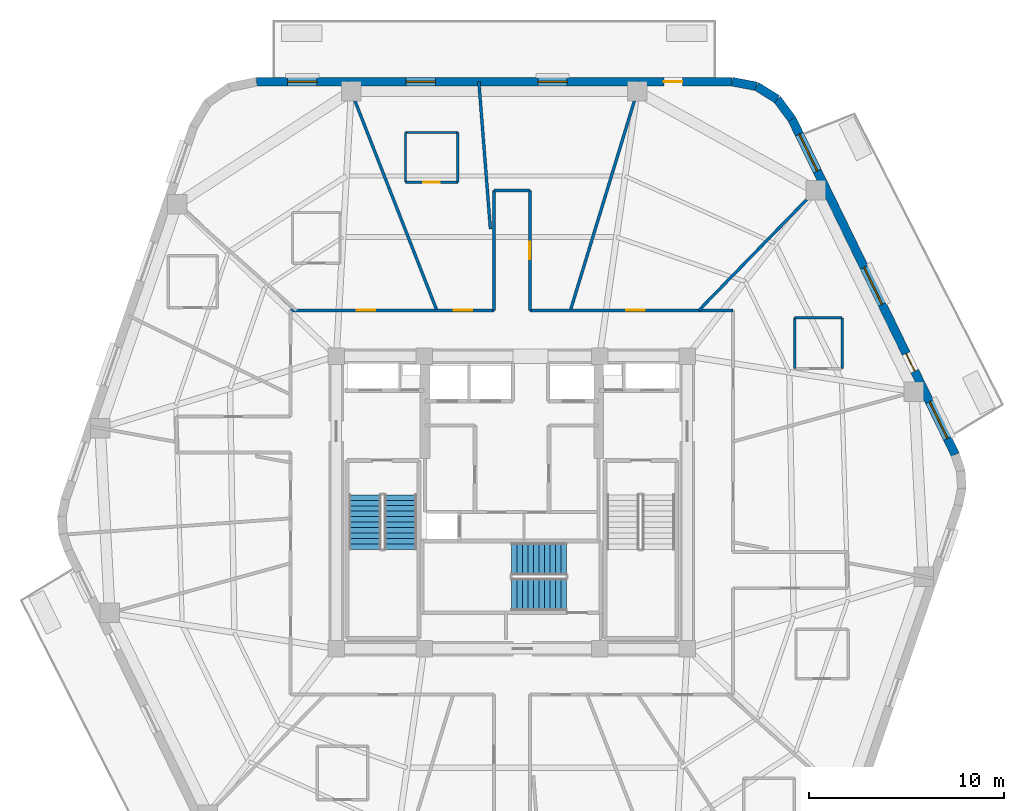
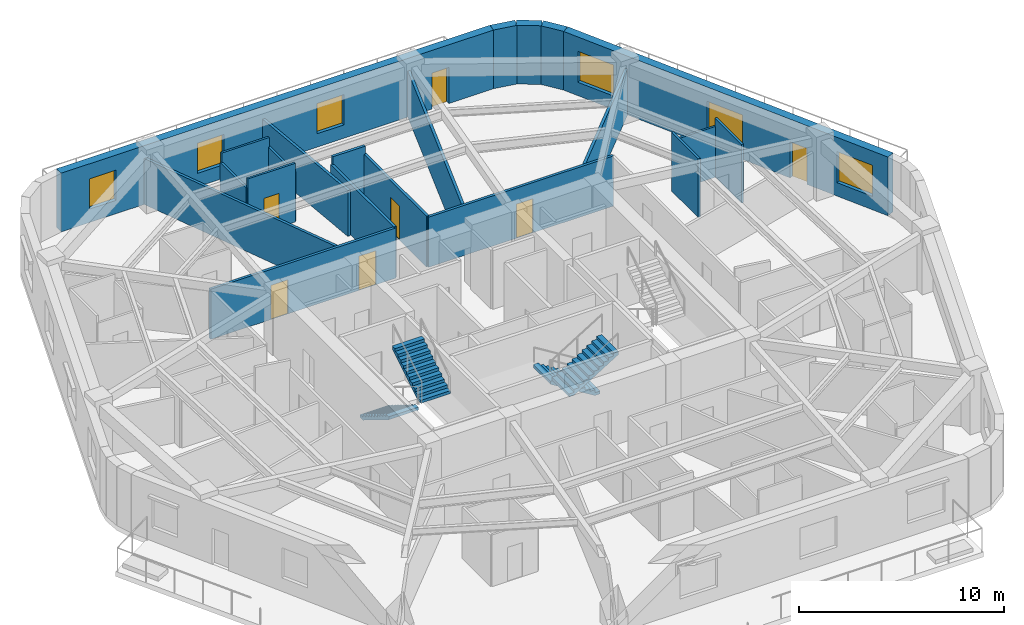
# One storey, part 6 of 10: 21 walls, 7 doors, 6 windows, 4 stair flights, 13 openings, 2 elements without a shape of their own.
"""IFC4 building model written with IfcOpenShell, lengths in metres."""

import ifcopenshell
import ifcopenshell.guid

model = None  # the IFC model being written
_history = None  # IfcOwnerHistory: only IFC2X3 demands one
_inside = {}  # id of a spatial element -> (the spatial element, [elements in it])
_under = {}  # id of a project, library or spatial element -> (it, [spatial elements below it])
_declared = {}  # id of a project -> (the project, [libraries it declares])
_typed = {}  # id of a type object -> (the type object, [elements of that type])
_made_of = {}  # id of a material, layer set ... -> (it, [elements and type objects made of it])


def new_model(schema):
    """Start an empty IFC model of exactly this schema.

    Asked for "IFC4X3", IfcOpenShell would pick the latest addendum, in which some entities
    have other attributes; the version numbers below select the first issue.
    IFC2X3 requires an IfcOwnerHistory on every rooted entity: one is made here for all.
    """
    global model, _history
    if schema == "IFC4X3":
        model = ifcopenshell.file(schema_version=(4, 3, 0, 0))
    else:
        model = ifcopenshell.file(schema=schema)
    _inside.clear()
    _under.clear()
    _declared.clear()
    _typed.clear()
    _made_of.clear()
    _history = None
    if model.schema == "IFC2X3":
        org = make("IfcOrganization", Name="unknown")
        user = make(
            "IfcPersonAndOrganization",
            ThePerson=make("IfcPerson", FamilyName="unknown"),
            TheOrganization=org,
        )
        app = make(
            "IfcApplication",
            ApplicationDeveloper=org,
            Version="unknown",
            ApplicationFullName="unknown",
            ApplicationIdentifier="unknown",
        )
        _history = make(
            "IfcOwnerHistory",
            OwningUser=user,
            OwningApplication=app,
            ChangeAction="ADDED",
            CreationDate=0,
        )
    return model


def make(cls, **values):
    """One entity of the class cls with the attributes given. An attribute that is None is left unset."""
    return model.create_entity(
        cls, **{name: value for name, value in values.items() if value is not None}
    )


def rooted(cls, **values):
    """An entity with a GlobalId (a new one), such as an element, a storey or a relation."""
    return make(cls, GlobalId=ifcopenshell.guid.new(), OwnerHistory=_history, **values)


def si_unit(unit_type, name, prefix=None):
    """IfcSIUnit, for example si_unit("LENGTHUNIT", "METRE", prefix="MILLI")."""
    return make("IfcSIUnit", UnitType=unit_type, Prefix=prefix, Name=name)


def assignment(units):
    """IfcUnitAssignment: the units of a project."""
    return None if units is None else make("IfcUnitAssignment", Units=units)


def point(xyz):
    """IfcCartesianPoint."""
    return None if xyz is None else make("IfcCartesianPoint", Coordinates=xyz)


def direction(xyz):
    """IfcDirection."""
    return None if xyz is None else make("IfcDirection", DirectionRatios=xyz)


def frame(location, z_axis=None, x_axis=None):
    """IfcAxis2Placement3D, a coordinate frame: its origin and axes. An axis left out is left unset."""
    return make(
        "IfcAxis2Placement3D",
        Location=point(location),
        Axis=direction(z_axis),
        RefDirection=direction(x_axis),
    )


def frame_2d(location, x_axis=None):
    """IfcAxis2Placement2D, a coordinate frame in the plane: its origin and x axis."""
    return make(
        "IfcAxis2Placement2D", Location=point(location), RefDirection=direction(x_axis)
    )


def origin():
    """The frame at (0, 0, 0) with its axes left unset."""
    return frame((0.0, 0.0, 0.0))


def place(relative_to, where):
    """IfcLocalPlacement: puts the frame where relative to a parent placement (None: the world)."""
    return make(
        "IfcLocalPlacement", PlacementRelTo=relative_to, RelativePlacement=where
    )


def context(
    kind, dimensions, precision=None, world=None, true_north=None, identifier=None
):
    """IfcGeometricRepresentationContext, for example the 3D "Model" context."""
    return make(
        "IfcGeometricRepresentationContext",
        ContextIdentifier=identifier,
        ContextType=kind,
        CoordinateSpaceDimension=dimensions,
        Precision=precision,
        WorldCoordinateSystem=world,
        TrueNorth=true_north,
    )


def subcontext(parent, identifier, kind, view, scale=None):
    """IfcGeometricRepresentationSubContext, for example "Body" below "Model"."""
    return make(
        "IfcGeometricRepresentationSubContext",
        ContextIdentifier=identifier,
        ContextType=kind,
        ParentContext=parent,
        TargetScale=scale,
        TargetView=view,
    )


def project(units=None, contexts=None):
    """IfcProject with its units and contexts."""
    return rooted(
        "IfcProject",
        Name="project",
        RepresentationContexts=contexts,
        UnitsInContext=assignment(units),
    )


def spatial(cls, under=None, at=None, **own):
    """A site, building, storey or space (cls), placed at a placement, below another one or the project."""
    s = rooted(cls, ObjectPlacement=at, **own)
    if under is not None:
        _under.setdefault(under.id(), (under, []))[1].append(s)
    return s


def polyline(points):
    """IfcPolyline through the points."""
    return make("IfcPolyline", Points=[point(p) for p in points])


def profile(cls, at=None, kind="AREA", **sizes):
    """A parametric profile (cls). Its sizes go by their IFC names, for example OverallWidth=200.0."""
    return make(cls, ProfileType=kind, Position=at, **sizes)


def rectangle(**sizes):
    """IfcRectangleProfileDef."""
    return profile("IfcRectangleProfileDef", **sizes)


def outline(outer, holes=None, kind="AREA"):
    """IfcArbitraryClosedProfileDef: a profile drawn as a closed curve; with holes, ...WithVoids."""
    if holes is None:
        return make("IfcArbitraryClosedProfileDef", ProfileType=kind, OuterCurve=outer)
    return make(
        "IfcArbitraryProfileDefWithVoids",
        ProfileType=kind,
        OuterCurve=outer,
        InnerCurves=holes,
    )


def extrude(swept, where, along, depth):
    """IfcExtrudedAreaSolid: the profile swept, set in the frame where, extruded along a direction by depth."""
    return make(
        "IfcExtrudedAreaSolid",
        SweptArea=swept,
        Position=where,
        ExtrudedDirection=direction(along),
        Depth=depth,
    )


def shape(context_of_items, identifier, shape_type, items):
    """IfcShapeRepresentation: the items that make up one representation, for example the "Body"."""
    return make(
        "IfcShapeRepresentation",
        ContextOfItems=context_of_items,
        RepresentationIdentifier=identifier,
        RepresentationType=shape_type,
        Items=items,
    )


def material(Name=None, Category=None):
    """IfcMaterial."""
    return make("IfcMaterial", Name=Name, Category=Category)


def layer(
    of_material, thickness, ventilated=None, Name=None, Category=None, Priority=None
):
    """IfcMaterialLayer: one layer of a wall or slab, of a material (None: an air gap)."""
    return make(
        "IfcMaterialLayer",
        Material=of_material,
        LayerThickness=thickness,
        IsVentilated=ventilated,
        Name=Name,
        Category=Category,
        Priority=Priority,
    )


def layer_set(layers, Name=None):
    """IfcMaterialLayerSet."""
    return make("IfcMaterialLayerSet", MaterialLayers=layers, LayerSetName=Name)


def made_of(thing, what):
    """Note that an element or type object is made of a material, layer set ...; save() writes the relation."""
    if what is not None:
        _made_of.setdefault(what.id(), (what, []))[1].append(thing)
    return thing


def type_object(cls, material=None, **own):
    """A type object (cls), such as IfcWallType, which elements share."""
    return made_of(rooted(cls, **own), material)


def element(
    cls,
    number,
    at=None,
    inside=None,
    cuts=None,
    type_object=None,
    material=None,
    context=None,
    identifier="Body",
    shape_type=None,
    held_by="IfcProductDefinitionShape",
    body=None,
    shapes=None,
    **own,
):
    """One element of the class cls, such as IfcWall. Its Tag is "e" and its number.

    at: its placement. inside: the storey or other place that contains it. cuts: it is an
    opening in that element (IfcRelVoidsElement). A single representation is given by context,
    identifier, shape_type and body (its items); several are given by shapes. held_by: the class
    of the entity that holds the representations. save() writes the other relations.
    """
    e = rooted(cls, Tag="e%d" % number, ObjectPlacement=at, **own)
    if body is not None:
        shapes = [shape(context, identifier, shape_type, body)]
    if shapes is not None:
        e.Representation = make(held_by, Representations=shapes)
    if inside is not None:
        _inside.setdefault(inside.id(), (inside, []))[1].append(e)
    if cuts is not None:
        rooted(
            "IfcRelVoidsElement", RelatingBuildingElement=cuts, RelatedOpeningElement=e
        )
    if type_object is not None:
        _typed.setdefault(type_object.id(), (type_object, []))[1].append(e)
    return made_of(e, material)


def fill(opening, filler):
    """IfcRelFillsElement: the door or window that sits in an opening."""
    return rooted(
        "IfcRelFillsElement",
        RelatingOpeningElement=opening,
        RelatedBuildingElement=filler,
    )


def aggregate(whole, parts):
    """IfcRelAggregates: a whole, such as a stair, and the parts it consists of."""
    return rooted("IfcRelAggregates", RelatingObject=whole, RelatedObjects=parts)


def save(model, path):
    """Write the relations noted so far, then the file.

    IfcRelAggregates (storeys below a building ...), IfcRelContainedInSpatialStructure (elements
    in a storey), IfcRelDefinesByType, IfcRelAssociatesMaterial and IfcRelDeclares: one each for
    every whole, place, type object, material and project.
    """
    for whole, parts in _under.values():
        aggregate(whole, parts)
    for where, things in _inside.values():
        rooted(
            "IfcRelContainedInSpatialStructure",
            RelatedElements=things,
            RelatingStructure=where,
        )
    for kind, things in _typed.values():
        rooted("IfcRelDefinesByType", RelatedObjects=things, RelatingType=kind)
    for what, things in _made_of.values():
        rooted("IfcRelAssociatesMaterial", RelatedObjects=things, RelatingMaterial=what)
    for by, libraries in _declared.values():
        rooted("IfcRelDeclares", RelatingContext=by, RelatedDefinitions=libraries)
    model.write(path)


model = new_model("IFC4")

# Units and contexts
model_context = context("Model", 3, precision=1e-05, world=origin(), true_north=direction((0.0, 1.0)))
body_context = subcontext(model_context, "Body", "Model", "MODEL_VIEW")
ifc_project = project(units=[si_unit("LENGTHUNIT", "METRE"), si_unit("AREAUNIT", "SQUARE_METRE"), si_unit("VOLUMEUNIT", "CUBIC_METRE"), si_unit("PLANEANGLEUNIT", "RADIAN"), si_unit("MASSUNIT", "GRAM", prefix="KILO")], contexts=[model_context])

# Site, building, storey
site_placement = place(None, origin())
site = spatial("IfcSite", under=ifc_project, at=site_placement, CompositionType="ELEMENT")
building_placement = place(site_placement, origin())
building = spatial("IfcBuilding", under=site, at=building_placement, Name="Kilnhurst Terrace Hotel", CompositionType="ELEMENT")
storey_placement = place(building_placement, frame((0.0, 0.0, 214.10009765625)))
storey = spatial("IfcBuildingStorey", under=building, at=storey_placement, Name="L53", CompositionType="ELEMENT", Elevation=214.10009765625)

# Walls
ifc_material_1 = material(Name="Precast concrete C40/50", Category="concrete")
ifc_layer_1 = layer(ifc_material_1, 0.449951171875, Name="Precast concrete C40/50")
ifc_layer_set_1 = layer_set([ifc_layer_1], Name="Precast concrete C40/50")
wall_type_1 = type_object("IfcWallType", Name="WL-BRK-450", PredefinedType="SOLIDWALL", material=ifc_layer_set_1)
wall_1_placement = place(storey_placement, frame((14.3623046875, 19.658447265625, 0.0), z_axis=(0.0, 0.0, 1.0), x_axis=(-0.596642462792, 0.80250717853, 0.0)))
element("IfcWall", 1, at=wall_1_placement, inside=storey, type_object=wall_type_1, Name="L53 Rounded Corner Brick Wall C4.1", PredefinedType="SOLIDWALL", context=body_context, shape_type="SweptSolid", body=[
    extrude(rectangle(XDim=1.27001953125, YDim=0.449951171875, at=frame_2d((0.635009765625, 0.0))), origin(), (0.0, 0.0, 1.0), 3.5),
])
wall_2_placement = place(storey_placement, frame((13.6044921875, 20.677734375, 0.0), z_axis=(0.0, 0.0, 1.0), x_axis=(-0.847910404124, 0.53013955387, 0.0)))
element("IfcWall", 2, at=wall_2_placement, inside=storey, type_object=wall_type_1, Name="L53 Rounded Corner Brick Wall C4.2", PredefinedType="SOLIDWALL", context=body_context, shape_type="SweptSolid", body=[
    extrude(rectangle(XDim=1.24853515625, YDim=0.449951171875, at=frame_2d((0.624267578125, 0.0))), origin(), (0.0, 0.0, 1.0), 3.5),
])
wall_3_placement = place(storey_placement, frame((12.5458984375, 21.339599609375, 0.0), z_axis=(0.0, 0.0, 1.0), x_axis=(-0.982686750835, 0.18527479519, 0.0)))
element("IfcWall", 3, at=wall_3_placement, inside=storey, type_object=wall_type_1, Name="L53 Rounded Corner Brick Wall C4.3", PredefinedType="SOLIDWALL", context=body_context, shape_type="SweptSolid", body=[
    extrude(rectangle(XDim=1.270263671875, YDim=0.449951171875, at=frame_2d((0.63525390625, 0.0))), origin(), (0.0, 0.0, 1.0), 3.5),
])

# Wall, openings, door, windows
wall_4_placement = place(storey_placement, frame((22.73974609375, 2.4521484375, 0.0), z_axis=(0.0, 0.0, 1.0), x_axis=(-0.437753424814, 0.899095066755, 0.0)))
wall_4 = element("IfcWall", 4, at=wall_4_placement, inside=storey, type_object=wall_type_1, Name="L53 Exterior Brick Facade Wall F3", PredefinedType="SOLIDWALL", context=body_context, shape_type="SweptSolid", body=[
    extrude(rectangle(XDim=19.137451171875, YDim=0.449951171875, at=frame_2d((9.56884765625, 0.0))), origin(), (0.0, 0.0, 1.0), 3.5),
])
opening_1_placement = place(wall_4_placement, frame((4.762939453125, 0.0, 0.0)))
opening_1 = element("IfcOpeningElement", 5, at=opening_1_placement, cuts=wall_4, Name="Opening BD-1000", PredefinedType="OPENING", context=body_context, shape_type="SweptSolid", body=[
    extrude(rectangle(XDim=1.0, YDim=2.14990234375, at=frame_2d((0.5, 1.074951171875))), frame((0.0, 0.23486328125, 0.0), z_axis=(0.0, -1.0, 0.0), x_axis=(1.0, 0.0, 0.0)), (0.0, 0.0, 1.0), 0.469970703125),
])
opening_2_placement = place(wall_4_placement, frame((8.570068359375, 0.0, 0.800048828125)))
opening_2 = element("IfcOpeningElement", 6, at=opening_2_placement, cuts=wall_4, Name="Opening W-04", PredefinedType="OPENING", context=body_context, shape_type="SweptSolid", body=[
    extrude(rectangle(XDim=2.10009765625, YDim=1.85009765625, at=frame_2d((1.050048828125, 0.925048828125))), frame((0.0, 0.23486328125, 0.0), z_axis=(0.0, -1.0, 0.0), x_axis=(1.0, 0.0, 0.0)), (0.0, 0.0, 1.0), 0.469970703125),
])
opening_3_placement = place(wall_4_placement, frame((16.173095703125, 0.0, 0.800048828125)))
opening_3 = element("IfcOpeningElement", 7, at=opening_3_placement, cuts=wall_4, Name="Opening W-04", PredefinedType="OPENING", context=body_context, shape_type="SweptSolid", body=[
    extrude(rectangle(XDim=2.10009765625, YDim=1.85009765625, at=frame_2d((1.050048828125, 0.925048828125))), frame((0.0, 0.23486328125, 0.0), z_axis=(0.0, -1.0, 0.0), x_axis=(1.0, 0.0, 0.0)), (0.0, 0.0, 1.0), 0.469970703125),
])
opening_4_placement = place(wall_4_placement, frame((0.916015625, 0.0, 0.800048828125)))
opening_4 = element("IfcOpeningElement", 8, at=opening_4_placement, cuts=wall_4, Name="Opening W-04", PredefinedType="OPENING", context=body_context, shape_type="SweptSolid", body=[
    extrude(rectangle(XDim=2.10009765625, YDim=1.85009765625, at=frame_2d((1.050048828125, 0.925048828125))), frame((0.0, 0.23486328125, 0.0), z_axis=(0.0, -1.0, 0.0), x_axis=(1.0, 0.0, 0.0)), (0.0, 0.0, 1.0), 0.469970703125),
])
ifc_material_2 = material(Name="Thermally Broken Bronze Aluminium Alloy 6063-T6 and Laminated Glass", Category="aluminium")
door_type_1 = type_object("IfcDoorType", Name="DR-EXT-BAL-1000", OperationType="NOTDEFINED", PredefinedType="DOOR", material=ifc_material_2)
door_1_placement = place(opening_1_placement, origin())
door_1 = element("IfcDoor", 9, at=door_1_placement, inside=storey, type_object=door_type_1, Name="L53 Planted Balcony Door BAL-L1A", OperationType="SINGLE_SWING_LEFT", OverallHeight=2.14990234375, OverallWidth=1.0, PredefinedType="DOOR", context=body_context, shape_type="SweptSolid", body=[
    extrude(rectangle(XDim=1.0, YDim=2.14990234375, at=frame_2d((0.5, 1.074951171875))), frame((0.0, 0.02490234375, 0.0), z_axis=(0.0, -1.0, 0.0), x_axis=(1.0, 0.0, 0.0)), (0.0, 0.0, 1.0), 0.050048828125),
])
fill(opening_1, door_1)
ifc_material_3 = material(Name="Thermally Broken Bronze Aluminium Alloy 6063-T6 and Low-E Glass", Category="aluminium")
window_type_1 = type_object("IfcWindowType", Name="WIN-2100X1850", PartitioningType="SINGLE_PANEL", PredefinedType="WINDOW", material=ifc_material_3)
window_1_placement = place(opening_2_placement, origin())
window_1 = element("IfcWindow", 10, at=window_1_placement, inside=storey, type_object=window_type_1, Name="L53 Deep-Set Masonry Window F3.1", OverallHeight=1.85009765625, OverallWidth=2.10009765625, PartitioningType="SINGLE_PANEL", PredefinedType="WINDOW", context=body_context, shape_type="SweptSolid", body=[
    extrude(rectangle(XDim=2.10009765625, YDim=1.85009765625, at=frame_2d((1.050048828125, 0.925048828125))), frame((0.0, 0.030029296875, 0.0), z_axis=(0.0, -1.0, 0.0), x_axis=(1.0, 0.0, 0.0)), (0.0, 0.0, 1.0), 0.06005859375),
])
fill(opening_2, window_1)
window_2_placement = place(opening_3_placement, origin())
window_2 = element("IfcWindow", 11, at=window_2_placement, inside=storey, type_object=window_type_1, Name="L53 Deep-Set Masonry Window F3.2", OverallHeight=1.85009765625, OverallWidth=2.10009765625, PartitioningType="SINGLE_PANEL", PredefinedType="WINDOW", context=body_context, shape_type="SweptSolid", body=[
    extrude(rectangle(XDim=2.10009765625, YDim=1.85009765625, at=frame_2d((1.050048828125, 0.925048828125))), frame((0.0, 0.030029296875, 0.0), z_axis=(0.0, -1.0, 0.0), x_axis=(1.0, 0.0, 0.0)), (0.0, 0.0, 1.0), 0.06005859375),
])
fill(opening_3, window_2)
window_3_placement = place(opening_4_placement, origin())
window_3 = element("IfcWindow", 12, at=window_3_placement, inside=storey, type_object=window_type_1, Name="L53 Deep-Set Masonry Window F3.3", OverallHeight=1.85009765625, OverallWidth=2.10009765625, PartitioningType="SINGLE_PANEL", PredefinedType="WINDOW", context=body_context, shape_type="SweptSolid", body=[
    extrude(rectangle(XDim=2.10009765625, YDim=1.85009765625, at=frame_2d((1.050048828125, 0.925048828125))), frame((0.0, 0.030029296875, 0.0), z_axis=(0.0, -1.0, 0.0), x_axis=(1.0, 0.0, 0.0)), (0.0, 0.0, 1.0), 0.06005859375),
])
fill(opening_4, window_3)

wall_5_placement = place(storey_placement, frame((11.297607421875, 21.574951171875, 0.0), z_axis=(0.0, 0.0, 1.0), x_axis=(-1.0, 0.0, 0.0)))
wall_5 = element("IfcWall", 13, at=wall_5_placement, inside=storey, type_object=wall_type_1, Name="L53 Exterior Brick Facade Wall F4", PredefinedType="SOLIDWALL", context=body_context, shape_type="SweptSolid", body=[
    extrude(rectangle(XDim=24.399169921875, YDim=0.449951171875, at=frame_2d((12.19970703125, 0.0))), origin(), (0.0, 0.0, 1.0), 3.5),
])
opening_5_placement = place(wall_5_placement, frame((2.550048828125, 0.0, 0.0)))
opening_5 = element("IfcOpeningElement", 14, at=opening_5_placement, cuts=wall_5, Name="Opening BD-950", PredefinedType="OPENING", context=body_context, shape_type="SweptSolid", body=[
    extrude(rectangle(XDim=0.949951171875, YDim=2.14990234375, at=frame_2d((0.47509765625, 1.074951171875))), frame((0.0, 0.23486328125, 0.0), z_axis=(0.0, -1.0, 0.0), x_axis=(1.0, 0.0, 0.0)), (0.0, 0.0, 1.0), 0.469970703125),
])
opening_6_placement = place(wall_5_placement, frame((8.468994140625, 0.0, 0.800048828125)))
opening_6 = element("IfcOpeningElement", 15, at=opening_6_placement, cuts=wall_5, Name="Opening W-02", PredefinedType="OPENING", context=body_context, shape_type="SweptSolid", body=[
    extrude(rectangle(XDim=1.5, YDim=1.800048828125, at=frame_2d((0.75, 0.89990234375))), frame((0.0, 0.23486328125, 0.0), z_axis=(0.0, -1.0, 0.0), x_axis=(1.0, 0.0, 0.0)), (0.0, 0.0, 1.0), 0.469970703125),
])
opening_7_placement = place(wall_5_placement, frame((15.221923828125, 0.0, 0.800048828125)))
opening_7 = element("IfcOpeningElement", 16, at=opening_7_placement, cuts=wall_5, Name="Opening W-02", PredefinedType="OPENING", context=body_context, shape_type="SweptSolid", body=[
    extrude(rectangle(XDim=1.5, YDim=1.800048828125, at=frame_2d((0.75, 0.89990234375))), frame((0.0, 0.23486328125, 0.0), z_axis=(0.0, -1.0, 0.0), x_axis=(1.0, 0.0, 0.0)), (0.0, 0.0, 1.0), 0.469970703125),
])
opening_8_placement = place(wall_5_placement, frame((21.2958984375, 0.0, 0.800048828125)))
opening_8 = element("IfcOpeningElement", 17, at=opening_8_placement, cuts=wall_5, Name="Opening W-02", PredefinedType="OPENING", context=body_context, shape_type="SweptSolid", body=[
    extrude(rectangle(XDim=1.5, YDim=1.800048828125, at=frame_2d((0.75, 0.89990234375))), frame((0.0, 0.23486328125, 0.0), z_axis=(0.0, -1.0, 0.0), x_axis=(1.0, 0.0, 0.0)), (0.0, 0.0, 1.0), 0.469970703125),
])
door_type_2 = type_object("IfcDoorType", Name="DR-EXT-BAL-950", OperationType="NOTDEFINED", PredefinedType="DOOR", material=ifc_material_2)
door_2_placement = place(opening_5_placement, origin())
door_2 = element("IfcDoor", 18, at=door_2_placement, inside=storey, type_object=door_type_2, Name="L53 Planted Balcony Door BAL-L1B", OperationType="SINGLE_SWING_RIGHT", OverallHeight=2.14990234375, OverallWidth=0.949951171875, PredefinedType="DOOR", context=body_context, shape_type="SweptSolid", body=[
    extrude(rectangle(XDim=0.949951171875, YDim=2.14990234375, at=frame_2d((0.47509765625, 1.074951171875))), frame((0.0, 0.02490234375, 0.0), z_axis=(0.0, -1.0, 0.0), x_axis=(1.0, 0.0, 0.0)), (0.0, 0.0, 1.0), 0.050048828125),
])
fill(opening_5, door_2)
window_type_2 = type_object("IfcWindowType", Name="WIN-1500X1800", PartitioningType="SINGLE_PANEL", PredefinedType="WINDOW", material=ifc_material_3)
window_4_placement = place(opening_6_placement, origin())
window_4 = element("IfcWindow", 19, at=window_4_placement, inside=storey, type_object=window_type_2, Name="L53 Deep-Set Masonry Window F4.1", OverallHeight=1.800048828125, OverallWidth=1.5, PartitioningType="SINGLE_PANEL", PredefinedType="WINDOW", context=body_context, shape_type="SweptSolid", body=[
    extrude(rectangle(XDim=1.5, YDim=1.800048828125, at=frame_2d((0.75, 0.89990234375))), frame((0.0, 0.030029296875, 0.0), z_axis=(0.0, -1.0, 0.0), x_axis=(1.0, 0.0, 0.0)), (0.0, 0.0, 1.0), 0.06005859375),
])
fill(opening_6, window_4)
window_5_placement = place(opening_7_placement, origin())
window_5 = element("IfcWindow", 20, at=window_5_placement, inside=storey, type_object=window_type_2, Name="L53 Deep-Set Masonry Window F4.2", OverallHeight=1.800048828125, OverallWidth=1.5, PartitioningType="SINGLE_PANEL", PredefinedType="WINDOW", context=body_context, shape_type="SweptSolid", body=[
    extrude(rectangle(XDim=1.5, YDim=1.800048828125, at=frame_2d((0.75, 0.89990234375))), frame((0.0, 0.030029296875, 0.0), z_axis=(0.0, -1.0, 0.0), x_axis=(1.0, 0.0, 0.0)), (0.0, 0.0, 1.0), 0.06005859375),
])
fill(opening_7, window_5)
window_6_placement = place(opening_8_placement, origin())
window_6 = element("IfcWindow", 21, at=window_6_placement, inside=storey, type_object=window_type_2, Name="L53 Deep-Set Masonry Window F4.3", OverallHeight=1.800048828125, OverallWidth=1.5, PartitioningType="SINGLE_PANEL", PredefinedType="WINDOW", context=body_context, shape_type="SweptSolid", body=[
    extrude(rectangle(XDim=1.5, YDim=1.800048828125, at=frame_2d((0.75, 0.89990234375))), frame((0.0, 0.030029296875, 0.0), z_axis=(0.0, -1.0, 0.0), x_axis=(1.0, 0.0, 0.0)), (0.0, 0.0, 1.0), 0.06005859375),
])
fill(opening_8, window_6)

# Wall, openings, doors
ifc_material_4 = material(Name="Acoustic Double-Gypsum Corridor Partition Assembly")
ifc_layer_2 = layer(ifc_material_4, 0.14990234375, Name="Acoustic Double-Gypsum Corridor Partition Assembly")
ifc_layer_set_2 = layer_set([ifc_layer_2], Name="Acoustic Double-Gypsum Corridor Partition Assembly")
wall_type_2 = type_object("IfcWallType", Name="WL-COR-150", PredefinedType="PARTITIONING", material=ifc_layer_set_2)
wall_6_placement = place(storey_placement, frame((-11.35009765625, 9.85009765625, 0.0), z_axis=(0.0, 0.0, 1.0), x_axis=(1.0, 0.0, 0.0)))
wall_6 = element("IfcWall", 22, at=wall_6_placement, inside=storey, type_object=wall_type_2, Name="L53 Interior Wall WL-L53-COR-06", PredefinedType="PARTITIONING", context=body_context, shape_type="SweptSolid", body=[
    extrude(rectangle(XDim=10.43017578125, YDim=0.14990234375, at=frame_2d((5.215087890625, 0.0))), origin(), (0.0, 0.0, 1.0), 2.989990234375),
])
opening_9_placement = place(wall_6_placement, frame((8.362060546875, 0.0, 0.0)))
opening_9 = element("IfcOpeningElement", 23, at=opening_9_placement, cuts=wall_6, Name="Opening D-60B", PredefinedType="OPENING", context=body_context, shape_type="SweptSolid", body=[
    extrude(rectangle(XDim=0.949951171875, YDim=2.030029296875, at=frame_2d((0.47509765625, 1.01513671875))), frame((0.0, 0.0849609375, 0.0), z_axis=(0.0, -1.0, 0.0), x_axis=(1.0, 0.0, 0.0)), (0.0, 0.0, 1.0), 0.169921875),
])
opening_10_placement = place(wall_6_placement, frame((3.39599609375, 0.0, 0.0)))
opening_10 = element("IfcOpeningElement", 24, at=opening_10_placement, cuts=wall_6, Name="Opening D-60B", PredefinedType="OPENING", context=body_context, shape_type="SweptSolid", body=[
    extrude(rectangle(XDim=0.949951171875, YDim=2.030029296875, at=frame_2d((0.47509765625, 1.01513671875))), frame((0.0, 0.0849609375, 0.0), z_axis=(0.0, -1.0, 0.0), x_axis=(1.0, 0.0, 0.0)), (0.0, 0.0, 1.0), 0.169921875),
])
ifc_material_5 = material(Name="Acoustic Walnut Veneer Solid-Core Fire Door")
door_type_3 = type_object("IfcDoorType", Name="DR-FD60-950", OperationType="NOTDEFINED", PredefinedType="DOOR", material=ifc_material_5)
door_3_placement = place(opening_9_placement, origin())
door_3 = element("IfcDoor", 25, at=door_3_placement, inside=storey, type_object=door_type_3, Name="L53 Guest Room Entry Door 4", OperationType="SINGLE_SWING_RIGHT", OverallHeight=2.030029296875, OverallWidth=0.949951171875, PredefinedType="DOOR", context=body_context, shape_type="SweptSolid", body=[
    extrude(rectangle(XDim=0.949951171875, YDim=2.030029296875, at=frame_2d((0.47509765625, 1.01513671875))), frame((0.0, 0.02490234375, 0.0), z_axis=(0.0, -1.0, 0.0), x_axis=(1.0, 0.0, 0.0)), (0.0, 0.0, 1.0), 0.050048828125),
])
fill(opening_9, door_3)
door_4_placement = place(opening_10_placement, origin())
door_4 = element("IfcDoor", 26, at=door_4_placement, inside=storey, type_object=door_type_3, Name="L53 Executive Suite Entry Door 5", OperationType="SINGLE_SWING_LEFT", OverallHeight=2.030029296875, OverallWidth=0.949951171875, PredefinedType="DOOR", context=body_context, shape_type="SweptSolid", body=[
    extrude(rectangle(XDim=0.949951171875, YDim=2.030029296875, at=frame_2d((0.47509765625, 1.01513671875))), frame((0.0, 0.02490234375, 0.0), z_axis=(0.0, -1.0, 0.0), x_axis=(1.0, 0.0, 0.0)), (0.0, 0.0, 1.0), 0.050048828125),
])
fill(opening_10, door_4)

# Walls
wall_7_placement = place(storey_placement, frame((-0.919921875, 9.85009765625, 0.0), z_axis=(0.0, 0.0, 1.0), x_axis=(0.0, 1.0, 0.0)))
element("IfcWall", 27, at=wall_7_placement, inside=storey, type_object=wall_type_2, Name="L53 Interior Wall WL-L53-COR-07", PredefinedType="PARTITIONING", context=body_context, shape_type="SweptSolid", body=[
    extrude(rectangle(XDim=6.14990234375, YDim=0.14990234375, at=frame_2d((3.074951171875, 0.0))), origin(), (0.0, 0.0, 1.0), 3.0263671875),
])
wall_8_placement = place(storey_placement, frame((-0.919921875, 16.0, 0.0), z_axis=(0.0, 0.0, 1.0), x_axis=(1.0, 0.0, 0.0)))
element("IfcWall", 28, at=wall_8_placement, inside=storey, type_object=wall_type_2, Name="L53 Interior Wall WL-L53-COR-08", PredefinedType="PARTITIONING", context=body_context, shape_type="SweptSolid", body=[
    extrude(rectangle(XDim=1.83984375, YDim=0.14990234375, at=frame_2d((0.919921875, 0.0))), origin(), (0.0, 0.0, 1.0), 3.5),
])

# Wall, opening, door
wall_9_placement = place(storey_placement, frame((0.919921875, 16.0, 0.0), z_axis=(0.0, 0.0, 1.0), x_axis=(0.0, -1.0, 0.0)))
wall_9 = element("IfcWall", 29, at=wall_9_placement, inside=storey, type_object=wall_type_2, Name="L53 Interior Wall WL-L53-COR-09", PredefinedType="PARTITIONING", context=body_context, shape_type="SweptSolid", body=[
    extrude(rectangle(XDim=6.14990234375, YDim=0.14990234375, at=frame_2d((3.074951171875, 0.0))), origin(), (0.0, 0.0, 1.0), 3.0263671875),
])
opening_11_placement = place(wall_9_placement, frame((2.625, 0.0, 0.0)))
opening_11 = element("IfcOpeningElement", 30, at=opening_11_placement, cuts=wall_9, Name="Opening D-60C", PredefinedType="OPENING", context=body_context, shape_type="SweptSolid", body=[
    extrude(rectangle(XDim=0.89990234375, YDim=2.030029296875, at=frame_2d((0.449951171875, 1.01513671875))), frame((0.0, 0.0849609375, 0.0), z_axis=(0.0, -1.0, 0.0), x_axis=(1.0, 0.0, 0.0)), (0.0, 0.0, 1.0), 0.169921875),
])
ifc_material_6 = material(Name="Painted Solid-Core Service Fire Door")
door_type_4 = type_object("IfcDoorType", Name="DR-FD60-900", OperationType="NOTDEFINED", PredefinedType="DOOR", material=ifc_material_6)
door_5_placement = place(opening_11_placement, origin())
door_5 = element("IfcDoor", 31, at=door_5_placement, inside=storey, type_object=door_type_4, Name="L53 Executive Work Office Door 3", OperationType="SINGLE_SWING_LEFT", OverallHeight=2.030029296875, OverallWidth=0.89990234375, PredefinedType="DOOR", context=body_context, shape_type="SweptSolid", body=[
    extrude(rectangle(XDim=0.89990234375, YDim=2.030029296875, at=frame_2d((0.449951171875, 1.01513671875))), frame((0.0, 0.02490234375, 0.0), z_axis=(0.0, -1.0, 0.0), x_axis=(1.0, 0.0, 0.0)), (0.0, 0.0, 1.0), 0.050048828125),
])
fill(opening_11, door_5)

wall_10_placement = place(storey_placement, frame((0.919921875, 9.85009765625, 0.0), z_axis=(0.0, 0.0, 1.0), x_axis=(1.0, 0.0, 0.0)))
wall_10 = element("IfcWall", 32, at=wall_10_placement, inside=storey, type_object=wall_type_2, Name="L53 Interior Wall WL-L53-COR-10", PredefinedType="PARTITIONING", context=body_context, shape_type="SweptSolid", body=[
    extrude(rectangle(XDim=10.43017578125, YDim=0.14990234375, at=frame_2d((5.215087890625, 0.0))), origin(), (0.0, 0.0, 1.0), 2.989990234375),
])
opening_12_placement = place(wall_10_placement, frame((4.948974609375, 0.0, 0.0)))
opening_12 = element("IfcOpeningElement", 33, at=opening_12_placement, cuts=wall_10, Name="Opening D-60B", PredefinedType="OPENING", context=body_context, shape_type="SweptSolid", body=[
    extrude(rectangle(XDim=0.949951171875, YDim=2.030029296875, at=frame_2d((0.47509765625, 1.01513671875))), frame((0.0, 0.0849609375, 0.0), z_axis=(0.0, -1.0, 0.0), x_axis=(1.0, 0.0, 0.0)), (0.0, 0.0, 1.0), 0.169921875),
])
door_6_placement = place(opening_12_placement, origin())
door_6 = element("IfcDoor", 34, at=door_6_placement, inside=storey, type_object=door_type_3, Name="L53 Executive Boardroom Door", OperationType="SINGLE_SWING_RIGHT", OverallHeight=2.030029296875, OverallWidth=0.949951171875, PredefinedType="DOOR", context=body_context, shape_type="SweptSolid", body=[
    extrude(rectangle(XDim=0.949951171875, YDim=2.030029296875, at=frame_2d((0.47509765625, 1.01513671875))), frame((0.0, 0.02490234375, 0.0), z_axis=(0.0, -1.0, 0.0), x_axis=(1.0, 0.0, 0.0)), (0.0, 0.0, 1.0), 0.050048828125),
])
fill(opening_12, door_6)

# Walls
ifc_material_7 = material(Name="STC-58 Acoustic Twin-Frame Guestroom Demising Partition")
ifc_layer_3 = layer(ifc_material_7, 0.14990234375, Name="STC-58 Acoustic Twin-Frame Guestroom Demising Partition")
ifc_layer_set_3 = layer_set([ifc_layer_3], Name="STC-58 Acoustic Twin-Frame Guestroom Demising Partition")
wall_type_3 = type_object("IfcWallType", Name="WL-DEM-150", PredefinedType="PARTITIONING", material=ifc_layer_set_3)
wall_11_placement = place(storey_placement, frame((9.587890625, 9.85009765625, 0.0), z_axis=(0.0, 0.0, 1.0), x_axis=(0.697519469595, 0.716565830567, 0.0)))
element("IfcWall", 35, at=wall_11_placement, inside=storey, type_object=wall_type_3, Name="L53 Interior Wall WL-L53-DEM-COL02-02-1", PredefinedType="PARTITIONING", context=body_context, shape_type="SweptSolid", body=[
    extrude(rectangle(XDim=9.12646484375, YDim=0.14990234375, at=frame_2d((4.563232421875, 0.0))), origin(), (0.0, 0.0, 1.0), 2.739990234375),
])
wall_12_placement = place(storey_placement, frame((3.00439453125, 9.85009765625, 0.0), z_axis=(0.0, 0.0, 1.0), x_axis=(0.291775760688, 0.956486751333, 0.0)))
element("IfcWall", 36, at=wall_12_placement, inside=storey, type_object=wall_type_3, Name="L53 Interior Wall WL-L53-DEM-COL03-03-1", PredefinedType="PARTITIONING", context=body_context, shape_type="SweptSolid", body=[
    extrude(rectangle(XDim=12.25830078125, YDim=0.14990234375, at=frame_2d((6.129150390625, 0.0))), origin(), (0.0, 0.0, 1.0), 2.739990234375),
])
wall_13_placement = place(storey_placement, frame((-1.10009765625, 14.017578125, 0.0), z_axis=(0.0, 0.0, 1.0), x_axis=(-0.078228275349, 0.996935472804, 0.0)))
element("IfcWall", 37, at=wall_13_placement, inside=storey, type_object=wall_type_3, Name="L53 Interior Wall WL-L53-DEM-MID03-04-1", PredefinedType="PARTITIONING", context=body_context, shape_type="SweptSolid", body=[
    extrude(rectangle(XDim=7.58056640625, YDim=0.14990234375, at=frame_2d((3.790283203125, 0.0))), origin(), (0.0, 0.0, 1.0), 2.739990234375),
])
wall_14_placement = place(storey_placement, frame((-3.848388671875, 9.85009765625, 0.0), z_axis=(0.0, 0.0, 1.0), x_axis=(-0.363921778212, 0.931429513889, 0.0)))
element("IfcWall", 38, at=wall_14_placement, inside=storey, type_object=wall_type_3, Name="L53 Interior Wall WL-L53-DEM-COL04-05-1", PredefinedType="PARTITIONING", context=body_context, shape_type="SweptSolid", body=[
    extrude(rectangle(XDim=12.588134765625, YDim=0.14990234375, at=frame_2d((6.2939453125, 0.0))), origin(), (0.0, 0.0, 1.0), 2.739990234375),
])
ifc_material_8 = material(Name="120 mm Moisture-Resistant Tile-Backed Bathroom Partition")
ifc_layer_4 = layer(ifc_material_8, 0.1201171875, Name="120 mm Moisture-Resistant Tile-Backed Bathroom Partition")
ifc_layer_set_4 = layer_set([ifc_layer_4], Name="120 mm Moisture-Resistant Tile-Backed Bathroom Partition")
wall_type_4 = type_object("IfcWallType", Name="WL-PART-120", PredefinedType="PARTITIONING", material=ifc_layer_set_4)
wall_15_placement = place(storey_placement, frame((16.93994140625, 6.860107421875, 0.0), z_axis=(0.0, 0.0, 1.0), x_axis=(0.0, 1.0, 0.0)))
element("IfcWall", 39, at=wall_15_placement, inside=storey, type_object=wall_type_4, Name="L53 Interior Wall WL-L53-BTH-01-2", PredefinedType="PARTITIONING", context=body_context, shape_type="SweptSolid", body=[
    extrude(rectangle(XDim=2.60986328125, YDim=0.1201171875, at=frame_2d((1.304931640625, 0.0))), origin(), (0.0, 0.0, 1.0), 3.5),
])
wall_16_placement = place(storey_placement, frame((16.93994140625, 9.469970703125, 0.0), z_axis=(0.0, 0.0, 1.0), x_axis=(-1.0, 0.0, 0.0)))
element("IfcWall", 40, at=wall_16_placement, inside=storey, type_object=wall_type_4, Name="L53 Interior Wall WL-L53-BTH-01-3", PredefinedType="PARTITIONING", context=body_context, shape_type="SweptSolid", body=[
    extrude(rectangle(XDim=2.43994140625, YDim=0.1201171875, at=frame_2d((1.219970703125, 0.0))), origin(), (0.0, 0.0, 1.0), 3.0263671875),
])
wall_17_placement = place(storey_placement, frame((14.5, 9.469970703125, 0.0), z_axis=(0.0, 0.0, 1.0), x_axis=(0.0, -1.0, 0.0)))
element("IfcWall", 41, at=wall_17_placement, inside=storey, type_object=wall_type_4, Name="L53 Interior Wall WL-L53-BTH-01-4", PredefinedType="PARTITIONING", context=body_context, shape_type="SweptSolid", body=[
    extrude(rectangle(XDim=2.60986328125, YDim=0.1201171875, at=frame_2d((1.304931640625, 0.0))), origin(), (0.0, 0.0, 1.0), 3.5),
])

# Wall, opening, door
wall_18_placement = place(storey_placement, frame((-5.4541015625, 16.427001953125, 0.0), z_axis=(0.0, 0.0, 1.0), x_axis=(1.0, 0.0, 0.0)))
wall_18 = element("IfcWall", 42, at=wall_18_placement, inside=storey, type_object=wall_type_4, Name="L53 Interior Wall WL-L53-BTH-04-1", PredefinedType="PARTITIONING", context=body_context, shape_type="SweptSolid", body=[
    extrude(rectangle(XDim=2.68017578125, YDim=0.1201171875, at=frame_2d((1.340087890625, 0.0))), origin(), (0.0, 0.0, 1.0), 3.5),
])
opening_13_placement = place(wall_18_placement, frame((0.9150390625, 0.0, 0.0)))
opening_13 = element("IfcOpeningElement", 43, at=opening_13_placement, cuts=wall_18, Name="Opening D-08A", PredefinedType="OPENING", context=body_context, shape_type="SweptSolid", body=[
    extrude(rectangle(XDim=0.85009765625, YDim=2.030029296875, at=frame_2d((0.425048828125, 1.01513671875))), frame((0.0, 0.070068359375, 0.0), z_axis=(0.0, -1.0, 0.0), x_axis=(1.0, 0.0, 0.0)), (0.0, 0.0, 1.0), 0.14013671875),
])
ifc_material_9 = material(Name="Moisture-Resistant Lacquered En-suite Bathroom Door")
door_type_5 = type_object("IfcDoorType", Name="DR-INT-850", OperationType="NOTDEFINED", PredefinedType="DOOR", material=ifc_material_9)
door_7_placement = place(opening_13_placement, origin())
door_7 = element("IfcDoor", 44, at=door_7_placement, inside=storey, type_object=door_type_5, Name="L53 En-suite Bathroom Door 4", OperationType="SINGLE_SWING_LEFT", OverallHeight=2.030029296875, OverallWidth=0.85009765625, PredefinedType="DOOR", context=body_context, shape_type="SweptSolid", body=[
    extrude(rectangle(XDim=0.85009765625, YDim=2.030029296875, at=frame_2d((0.425048828125, 1.01513671875))), frame((0.0, 0.02490234375, 0.0), z_axis=(0.0, -1.0, 0.0), x_axis=(1.0, 0.0, 0.0)), (0.0, 0.0, 1.0), 0.050048828125),
])
fill(opening_13, door_7)

# Walls
wall_19_placement = place(storey_placement, frame((-2.77392578125, 16.427001953125, 0.0), z_axis=(0.0, 0.0, 1.0), x_axis=(0.0, 1.0, 0.0)))
element("IfcWall", 45, at=wall_19_placement, inside=storey, type_object=wall_type_4, Name="L53 Interior Wall WL-L53-BTH-04-2", PredefinedType="PARTITIONING", context=body_context, shape_type="SweptSolid", body=[
    extrude(rectangle(XDim=2.5400390625, YDim=0.1201171875, at=frame_2d((1.27001953125, 0.0))), origin(), (0.0, 0.0, 1.0), 2.940185546875),
])
wall_20_placement = place(storey_placement, frame((-2.77392578125, 18.967041015625, 0.0), z_axis=(0.0, 0.0, 1.0), x_axis=(-1.0, 0.0, 0.0)))
element("IfcWall", 46, at=wall_20_placement, inside=storey, type_object=wall_type_4, Name="L53 Interior Wall WL-L53-BTH-04-3", PredefinedType="PARTITIONING", context=body_context, shape_type="SweptSolid", body=[
    extrude(rectangle(XDim=2.68017578125, YDim=0.1201171875, at=frame_2d((1.340087890625, 0.0))), origin(), (0.0, 0.0, 1.0), 3.5),
])
wall_21_placement = place(storey_placement, frame((-5.4541015625, 18.967041015625, 0.0), z_axis=(0.0, 0.0, 1.0), x_axis=(0.0, -1.0, 0.0)))
element("IfcWall", 47, at=wall_21_placement, inside=storey, type_object=wall_type_4, Name="L53 Interior Wall WL-L53-BTH-04-4", PredefinedType="PARTITIONING", context=body_context, shape_type="SweptSolid", body=[
    extrude(rectangle(XDim=2.5400390625, YDim=0.1201171875, at=frame_2d((1.27001953125, 0.0))), origin(), (0.0, 0.0, 1.0), 2.940185546875),
])

# Stair, stair flights
ifc_material_10 = material(Name="Concrete C50/60", Category="concrete")
stair_type = type_object("IfcStairType", Name="STR-CORE-1660", PredefinedType="HALF_TURN_STAIR", material=ifc_material_10)
stair_1_placement = place(storey_placement, origin())
stair_1 = element("IfcStair", 48, at=stair_1_placement, inside=storey, type_object=stair_type, Name="L53 ST-1", PredefinedType="HALF_TURN_STAIR")
stair_flight_type = type_object("IfcStairFlightType", Name="FLT-RC-1660", PredefinedType="STRAIGHT", material=ifc_material_10)
stair_flight_1_placement = place(storey_placement, frame((-7.52001953125, 0.389892578125, 0.0), z_axis=(0.0, 0.0, 1.0), x_axis=(0.0, -1.0, 0.0)))
stair_flight_1 = element("IfcStairFlight", 49, at=stair_flight_1_placement, type_object=stair_flight_type, Name="ST-1 flight 1", NumberOfRisers=11, NumberOfTreads=10, PredefinedType="STRAIGHT", RiserHeight=0.172727273, TreadLength=0.28, context=body_context, shape_type="SweptSolid", body=[
    extrude(outline(polyline([(0.0, 0.0), (0.0, 0.172607421875), (0.280029296875, 0.172607421875), (0.280029296875, 0.345458984375), (0.56005859375, 0.345458984375), (0.56005859375, 0.51806640625), (0.840087890625, 0.51806640625), (0.840087890625, 0.69091796875), (1.1201171875, 0.69091796875), (1.1201171875, 0.863525390625), (1.39990234375, 0.863525390625), (1.39990234375, 1.036376953125), (1.679931640625, 1.036376953125), (1.679931640625, 1.208984375), (1.9599609375, 1.208984375), (1.9599609375, 1.3818359375), (2.239990234375, 1.3818359375), (2.239990234375, 1.554443359375), (2.52001953125, 1.554443359375), (2.52001953125, 1.727294921875), (2.800048828125, 1.727294921875), (2.800048828125, 1.89990234375), (2.800048828125, 1.551025390625), (0.285400390625, 0.0), (0.0, 0.0)])), frame((0.0, 0.830078125, 0.0), z_axis=(0.0, -1.0, 0.0), x_axis=(1.0, 0.0, 0.0)), (0.0, 0.0, 1.0), 1.659912109375),
])
stair_flight_2_placement = place(storey_placement, frame((-5.7099609375, -2.409912109375, 1.89990234375), z_axis=(0.0, 0.0, 1.0), x_axis=(0.0, 1.0, 0.0)))
stair_flight_2 = element("IfcStairFlight", 50, at=stair_flight_2_placement, type_object=stair_flight_type, Name="ST-1 flight 2", NumberOfRisers=11, NumberOfTreads=10, PredefinedType="STRAIGHT", RiserHeight=0.172727273, TreadLength=0.28, context=body_context, shape_type="SweptSolid", body=[
    extrude(outline(polyline([(0.0, 0.0), (0.0, 0.172607421875), (0.280029296875, 0.172607421875), (0.280029296875, 0.345458984375), (0.56005859375, 0.345458984375), (0.56005859375, 0.51806640625), (0.840087890625, 0.51806640625), (0.840087890625, 0.69091796875), (1.1201171875, 0.69091796875), (1.1201171875, 0.863525390625), (1.39990234375, 0.863525390625), (1.39990234375, 1.036376953125), (1.679931640625, 1.036376953125), (1.679931640625, 1.208984375), (1.9599609375, 1.208984375), (1.9599609375, 1.3818359375), (2.239990234375, 1.3818359375), (2.239990234375, 1.554443359375), (2.52001953125, 1.554443359375), (2.52001953125, 1.727294921875), (2.800048828125, 1.727294921875), (2.800048828125, 1.89990234375), (2.800048828125, 1.551025390625), (0.285400390625, 0.0), (0.0, 0.0)])), frame((0.0, 0.830078125, 0.0), z_axis=(0.0, -1.0, 0.0), x_axis=(1.0, 0.0, 0.0)), (0.0, 0.0, 1.0), 1.659912109375),
])
aggregate(stair_1, [stair_flight_1, stair_flight_2])

stair_2_placement = place(storey_placement, origin())
stair_2 = element("IfcStair", 51, at=stair_2_placement, inside=storey, type_object=stair_type, Name="L53 ST-3", PredefinedType="HALF_TURN_STAIR")
stair_flight_3_placement = place(storey_placement, frame((2.7900390625, -2.909912109375, 0.0), z_axis=(0.0, 0.0, 1.0), x_axis=(-1.0, 0.0, 0.0)))
stair_flight_3 = element("IfcStairFlight", 52, at=stair_flight_3_placement, type_object=stair_flight_type, Name="ST-3 flight 1", NumberOfRisers=11, NumberOfTreads=10, PredefinedType="STRAIGHT", RiserHeight=0.172727273, TreadLength=0.28, context=body_context, shape_type="SweptSolid", body=[
    extrude(outline(polyline([(0.0, 0.0), (0.0, 0.172607421875), (0.280029296875, 0.172607421875), (0.280029296875, 0.345458984375), (0.56005859375, 0.345458984375), (0.56005859375, 0.51806640625), (0.840087890625, 0.51806640625), (0.840087890625, 0.69091796875), (1.1201171875, 0.69091796875), (1.1201171875, 0.863525390625), (1.39990234375, 0.863525390625), (1.39990234375, 1.036376953125), (1.679931640625, 1.036376953125), (1.679931640625, 1.208984375), (1.9599609375, 1.208984375), (1.9599609375, 1.3818359375), (2.239990234375, 1.3818359375), (2.239990234375, 1.554443359375), (2.52001953125, 1.554443359375), (2.52001953125, 1.727294921875), (2.800048828125, 1.727294921875), (2.800048828125, 1.89990234375), (2.800048828125, 1.551025390625), (0.285400390625, 0.0), (0.0, 0.0)])), frame((0.0, 0.830078125, 0.0), z_axis=(0.0, -1.0, 0.0), x_axis=(1.0, 0.0, 0.0)), (0.0, 0.0, 1.0), 1.659912109375),
])
stair_flight_4_placement = place(storey_placement, frame((-0.010009765625, -4.719970703125, 1.89990234375), z_axis=(0.0, 0.0, 1.0), x_axis=(1.0, 0.0, 0.0)))
stair_flight_4 = element("IfcStairFlight", 53, at=stair_flight_4_placement, type_object=stair_flight_type, Name="ST-3 flight 2", NumberOfRisers=11, NumberOfTreads=10, PredefinedType="STRAIGHT", RiserHeight=0.172727273, TreadLength=0.28, context=body_context, shape_type="SweptSolid", body=[
    extrude(outline(polyline([(0.0, 0.0), (0.0, 0.172607421875), (0.280029296875, 0.172607421875), (0.280029296875, 0.345458984375), (0.56005859375, 0.345458984375), (0.56005859375, 0.51806640625), (0.840087890625, 0.51806640625), (0.840087890625, 0.69091796875), (1.1201171875, 0.69091796875), (1.1201171875, 0.863525390625), (1.39990234375, 0.863525390625), (1.39990234375, 1.036376953125), (1.679931640625, 1.036376953125), (1.679931640625, 1.208984375), (1.9599609375, 1.208984375), (1.9599609375, 1.3818359375), (2.239990234375, 1.3818359375), (2.239990234375, 1.554443359375), (2.52001953125, 1.554443359375), (2.52001953125, 1.727294921875), (2.800048828125, 1.727294921875), (2.800048828125, 1.89990234375), (2.800048828125, 1.551025390625), (0.285400390625, 0.0), (0.0, 0.0)])), frame((0.0, 0.830078125, 0.0), z_axis=(0.0, -1.0, 0.0), x_axis=(1.0, 0.0, 0.0)), (0.0, 0.0, 1.0), 1.659912109375),
])
aggregate(stair_2, [stair_flight_3, stair_flight_4])

save(model, "model.ifc")
